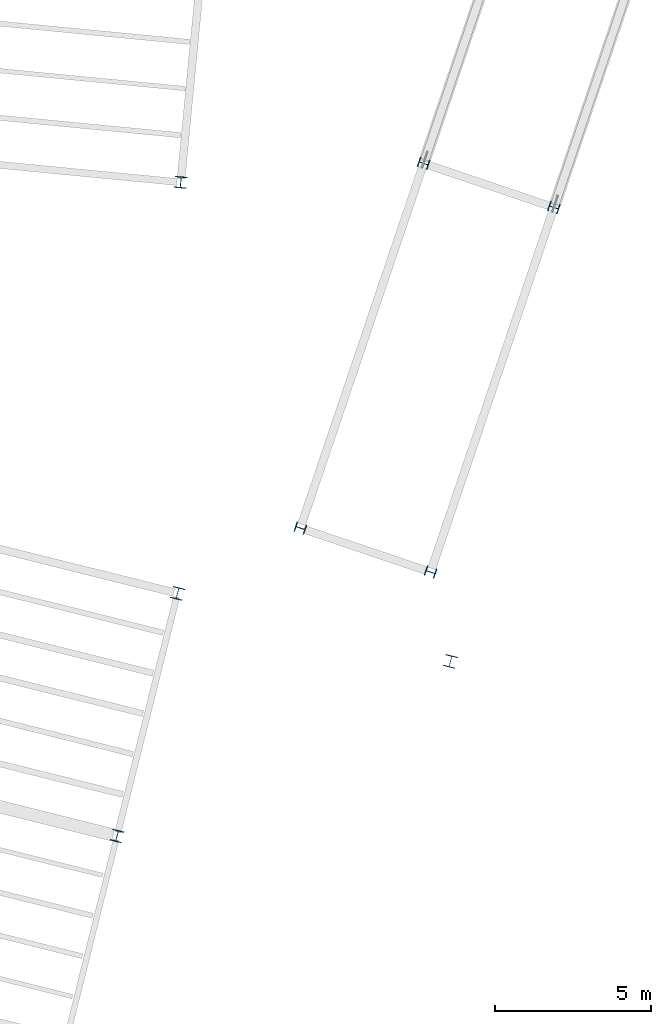
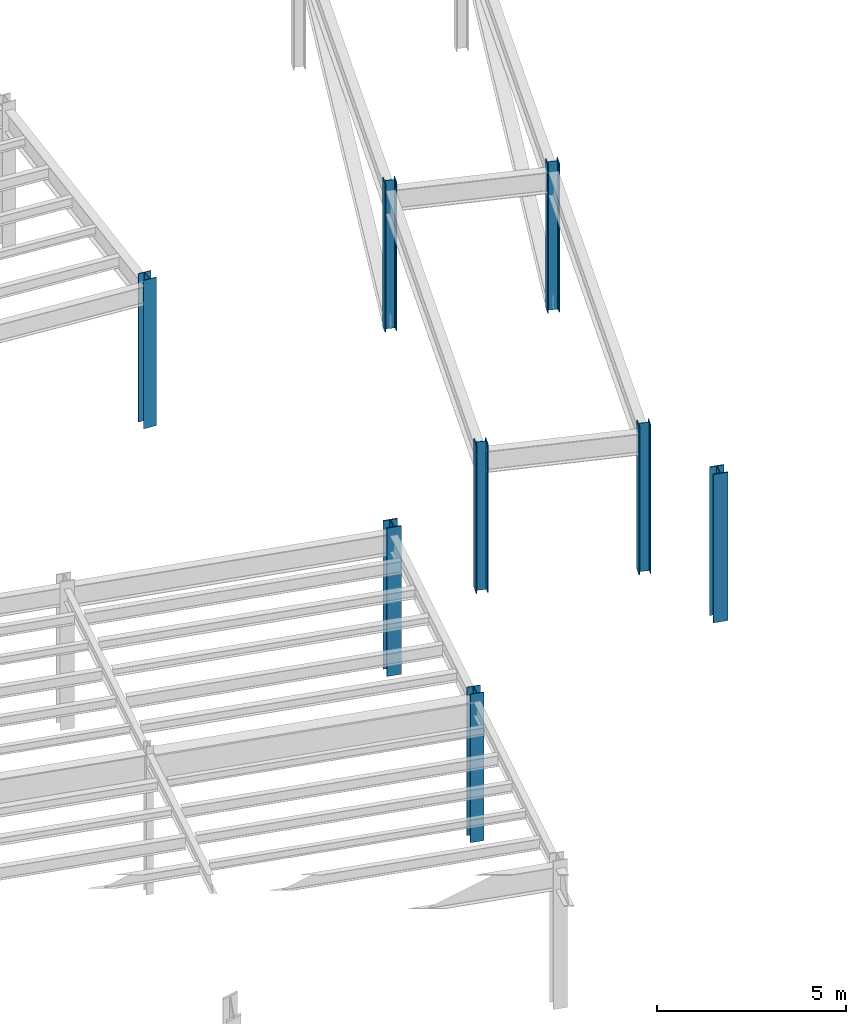
# One storey, part 10 of 109: 8 columns.
"""IFC4 building model written with IfcOpenShell, lengths in metres."""

from ifc_helpers import new_model, si_unit, direction, frame, origin, origin_2d, place, context, subcontext, project, spatial, i_section, extrude, material, material_profile, profile_set, type_object, element, save


model = new_model("IFC4")

# Units and contexts
model_context = context("Model", 3, precision=1e-05, world=origin(), true_north=direction((0.0, 1.0)))
body_context = subcontext(model_context, "Body", "Model", "MODEL_VIEW")
ifc_project = project(units=[si_unit("LENGTHUNIT", "METRE"), si_unit("AREAUNIT", "SQUARE_METRE"), si_unit("VOLUMEUNIT", "CUBIC_METRE"), si_unit("PLANEANGLEUNIT", "RADIAN"), si_unit("MASSUNIT", "GRAM", prefix="KILO")], contexts=[model_context])

# Site, building, storey
site_placement = place(None, origin())
site = spatial("IfcSite", under=ifc_project, at=site_placement, CompositionType="ELEMENT")
building_placement = place(site_placement, origin())
building = spatial("IfcBuilding", under=site, at=building_placement, Name="Vireo Bluff Cable Station", CompositionType="ELEMENT")
storey_placement = place(building_placement, frame((0.0, 0.0, 4.800048828125)))
storey = spatial("IfcBuildingStorey", under=building, at=storey_placement, Name="L01", CompositionType="ELEMENT", Elevation=4.800048828125)

# Columns
ifc_material = material(Name="Steel ASTM A992 Gr. 50", Category="steel")
ifc_material_profile_1 = material_profile(ifc_material, i_section(OverallWidth=0.39892578125, OverallDepth=0.385986328125, WebThickness=0.02099609375, FlangeThickness=0.033203125, FilletRadius=0.014892578125, at=origin_2d()), Name="W14X176")
ifc_profile_set_1 = profile_set([ifc_material_profile_1], Name="Steel ASTM A992 Gr. 50")
column_type_1 = type_object("IfcColumnType", Name="COL-W14X176", PredefinedType="COLUMN", material=ifc_profile_set_1)
for number, where, z_axis, x_axis, name in (
    (1, (103.469482421875, 50.400634765625, 0.0), (0.0, 0.0, 1.0), (0.970295726276, -0.2419218956, 0.0), "V1 L01 column 109"),
    (2, (112.2021484375, 48.223388671875, 0.0), (0.0, 0.0, 1.0), (0.970295726276, -0.2419218956, 0.0), "V1 L01 column 119"),
):
    element("IfcColumn", number, at=place(storey_placement, frame(where, z_axis=z_axis, x_axis=x_axis)), inside=storey, type_object=column_type_1, Name=name, PredefinedType="COLUMN", context=body_context, shape_type="SweptSolid", body=[
        extrude(i_section(OverallWidth=0.39892578125, OverallDepth=0.385986328125, WebThickness=0.02099609375, FlangeThickness=0.033203125, FilletRadius=0.014892578125, at=origin_2d()), origin(), (0.0, 0.0, 1.0), 4.800048828125),
    ])
ifc_material_profile_2 = material_profile(ifc_material, i_section(OverallWidth=0.31298828125, OverallDepth=0.3330078125, WebThickness=0.01806640625, FlangeThickness=0.028076171875, FilletRadius=0.012939453125, at=origin_2d()), Name="W12X120")
ifc_profile_set_2 = profile_set([ifc_material_profile_2], Name="Steel ASTM A992 Gr. 50")
column_type_2 = type_object("IfcColumnType", Name="ECOL-W12X120", PredefinedType="COLUMN", material=ifc_profile_set_2)
for number, where, z_axis, x_axis, name in (
    (3, (111.5673828125, 51.08203125, 0.0), (0.0, 0.0, 1.0), (0.32035190998, 0.947298608556, 0.0), "HAUL-DRIVE skybridge column 1L L01"),
    (4, (107.3994140625, 52.49169921875, 0.0), (0.0, 0.0, 1.0), (0.32035190998, 0.947298608556, 0.0), "HAUL-DRIVE skybridge column 1R L01"),
    (5, (115.512939453125, 62.748779296875, 0.0), (0.0, 0.0, 1.0), (0.32035190998, 0.947298608556, 0.0), "HAUL-DRIVE skybridge column 2L L01"),
    (6, (111.3447265625, 64.158203125, 0.0), (0.0, 0.0, 1.0), (0.32035190998, 0.947298608556, 0.0), "HAUL-DRIVE skybridge column 2R L01"),
):
    element("IfcColumn", number, at=place(storey_placement, frame(where, z_axis=z_axis, x_axis=x_axis)), inside=storey, type_object=column_type_2, Name=name, PredefinedType="COLUMN", context=body_context, shape_type="SweptSolid", body=[
        extrude(i_section(OverallWidth=0.31298828125, OverallDepth=0.3330078125, WebThickness=0.01806640625, FlangeThickness=0.028076171875, FilletRadius=0.012939453125, at=origin_2d()), origin(), (0.0, 0.0, 1.0), 4.800048828125),
    ])
ifc_material_profile_3 = material_profile(ifc_material, i_section(OverallWidth=0.3701171875, OverallDepth=0.360107421875, WebThickness=0.01220703125, FlangeThickness=0.019775390625, FilletRadius=0.014892578125, at=origin_2d()), Name="W14X99")
ifc_profile_set_3 = profile_set([ifc_material_profile_3], Name="Steel ASTM A992 Gr. 50")
column_type_3 = type_object("IfcColumnType", Name="ECOL-W14X99", PredefinedType="COLUMN", material=ifc_profile_set_3)
for number, where, z_axis, x_axis, name in (
    (7, (101.5341796875, 42.63818359375, 0.0), (0.0, 0.0, 1.0), (0.970295726276, -0.2419218956, 0.0), "V1 L01 column 106"),
    (8, (103.572265625, 63.553466796875, 0.0), (0.0, 0.0, 1.0), (0.995396198367, -0.09584575252, 0.0), "V3 L01 column 238"),
):
    element("IfcColumn", number, at=place(storey_placement, frame(where, z_axis=z_axis, x_axis=x_axis)), inside=storey, type_object=column_type_3, Name=name, PredefinedType="COLUMN", context=body_context, shape_type="SweptSolid", body=[
        extrude(i_section(OverallWidth=0.3701171875, OverallDepth=0.360107421875, WebThickness=0.01220703125, FlangeThickness=0.019775390625, FilletRadius=0.014892578125, at=origin_2d()), origin(), (0.0, 0.0, 1.0), 4.800048828125),
    ])

save(model, "model.ifc")
